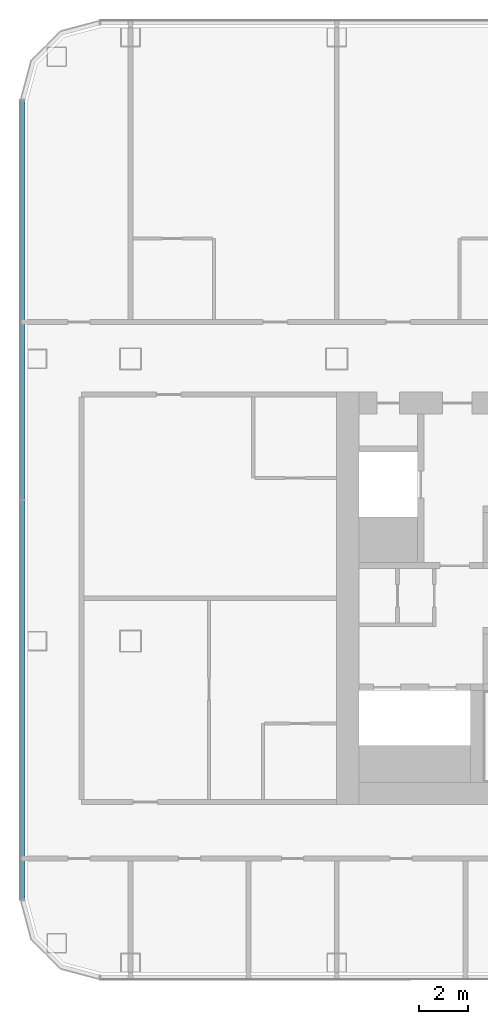
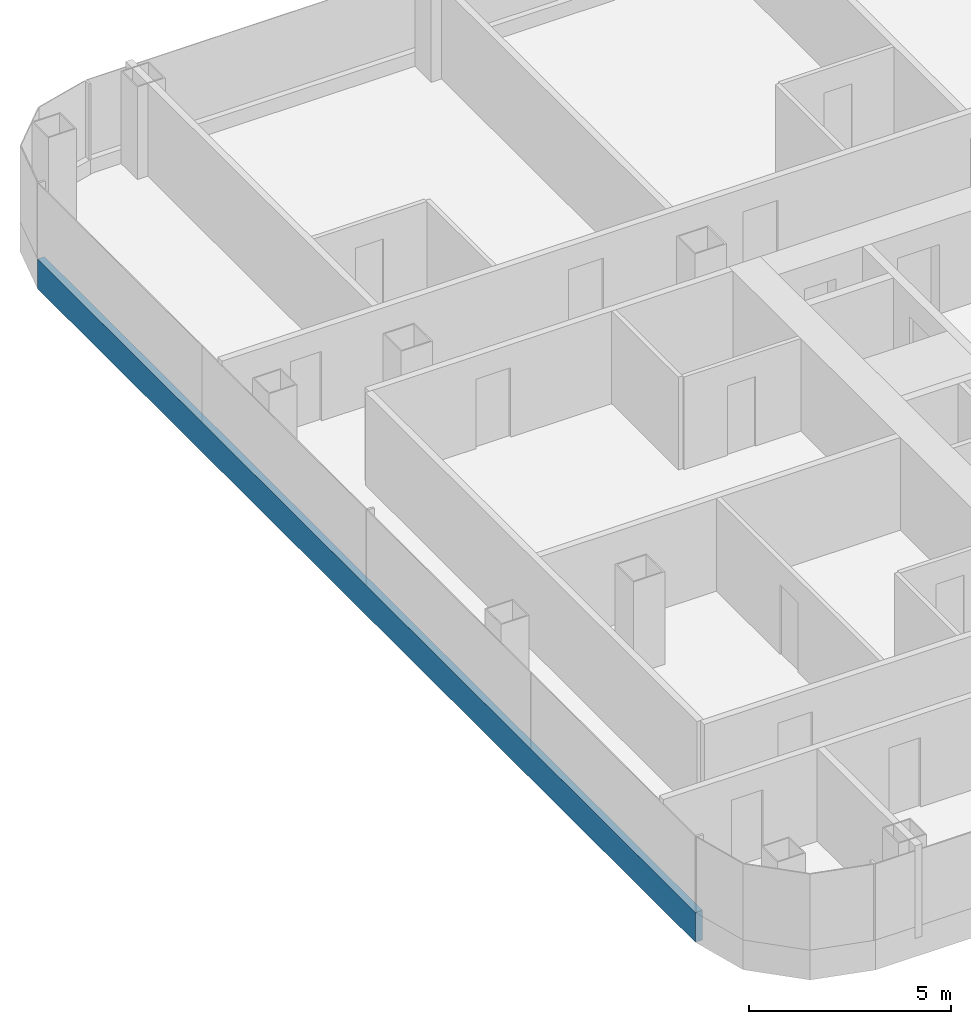
# One storey, part 3 of 29: 1 member, 1 element without a shape of its own.
"""IFC4 building model written with IfcOpenShell, lengths in metres."""

from ifc_helpers import new_model, si_unit, direction, frame, origin, origin_2d, place, context, subcontext, project, spatial, rectangle, extrude, material, layer, layer_set, material_profile, profile_set, type_object, element, aggregate, save


model = new_model("IFC4")

# Units and contexts
model_context = context("Model", 3, precision=1e-05, world=origin(), true_north=direction((0.0, 1.0)))
body_context = subcontext(model_context, "Body", "Model", "MODEL_VIEW")
ifc_project = project(units=[si_unit("LENGTHUNIT", "METRE"), si_unit("AREAUNIT", "SQUARE_METRE"), si_unit("VOLUMEUNIT", "CUBIC_METRE"), si_unit("PLANEANGLEUNIT", "RADIAN"), si_unit("MASSUNIT", "GRAM", prefix="KILO")], contexts=[model_context])

# Site, building, storey
site_placement = place(None, origin())
site = spatial("IfcSite", under=ifc_project, at=site_placement, CompositionType="ELEMENT")
building_placement = place(site_placement, origin())
building = spatial("IfcBuilding", under=site, at=building_placement, Name="Hakoniwa Tower and Hamabe Station Hall", CompositionType="ELEMENT")
storey_placement = place(building_placement, frame((0.0, 0.0, 91.39990234375)))
storey = spatial("IfcBuildingStorey", under=building, at=storey_placement, Name="L25", CompositionType="ELEMENT", Elevation=91.39990234375)

# Curtain wall, member
ifc_material_1 = material(Name="Dark low-e laminated glass", Category="glass")
ifc_layer = layer(ifc_material_1, 0.199951171875)
ifc_layer_set = layer_set([ifc_layer], Name="CW-1 UNITISED GUEST")
curtain_wall_type = type_object("IfcCurtainWallType", Name="CW-1 UNITISED GUEST", PredefinedType="NOTDEFINED", material=ifc_layer_set)
curtain_wall_placement = place(storey_placement, origin())
curtain_wall = element("IfcCurtainWall", 1, at=curtain_wall_placement, inside=storey, type_object=curtain_wall_type, Name="CW-1 curtain wall", PredefinedType="NOTDEFINED")
ifc_material_2 = material(Name="Aluminium 6063-T5 black anodised", Category="aluminium")
ifc_material_profile = material_profile(ifc_material_2, rectangle(XDim=0.199951171875, YDim=0.89990234375, at=origin_2d()), Name="CW SLAB-EDGE BAND 900X200")
ifc_profile_set = profile_set([ifc_material_profile], Name="Aluminium 6063-T5 black anodised")
member_type = type_object("IfcMemberType", Name="CW SLAB-EDGE BAND 900X200", PredefinedType="USERDEFINED", material=ifc_profile_set)
member_placement = place(storey_placement, frame((-46.39990234375, 20.28955078125, -0.099853515625), z_axis=(0.0, -1.0, 0.0), x_axis=(1.0, 0.0, 0.0)))
member = element("IfcMember", 2, at=member_placement, type_object=member_type, Name="CW-1 transom", ObjectType="TRANSOM", PredefinedType="USERDEFINED", context=body_context, shape_type="SweptSolid", body=[
    extrude(rectangle(XDim=0.199951171875, YDim=0.89990234375, at=origin_2d()), origin(), (0.0, 0.0, 1.0), 32.5791015625),
])
aggregate(curtain_wall, [member])

save(model, "model.ifc")
